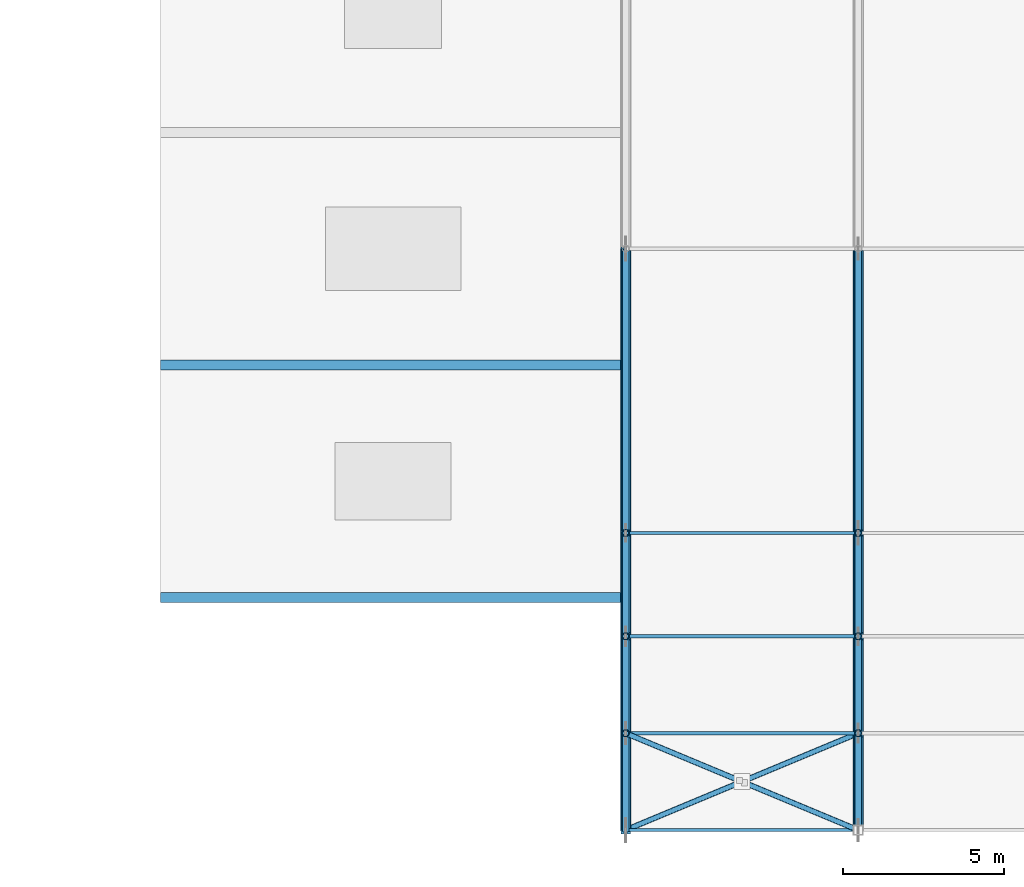
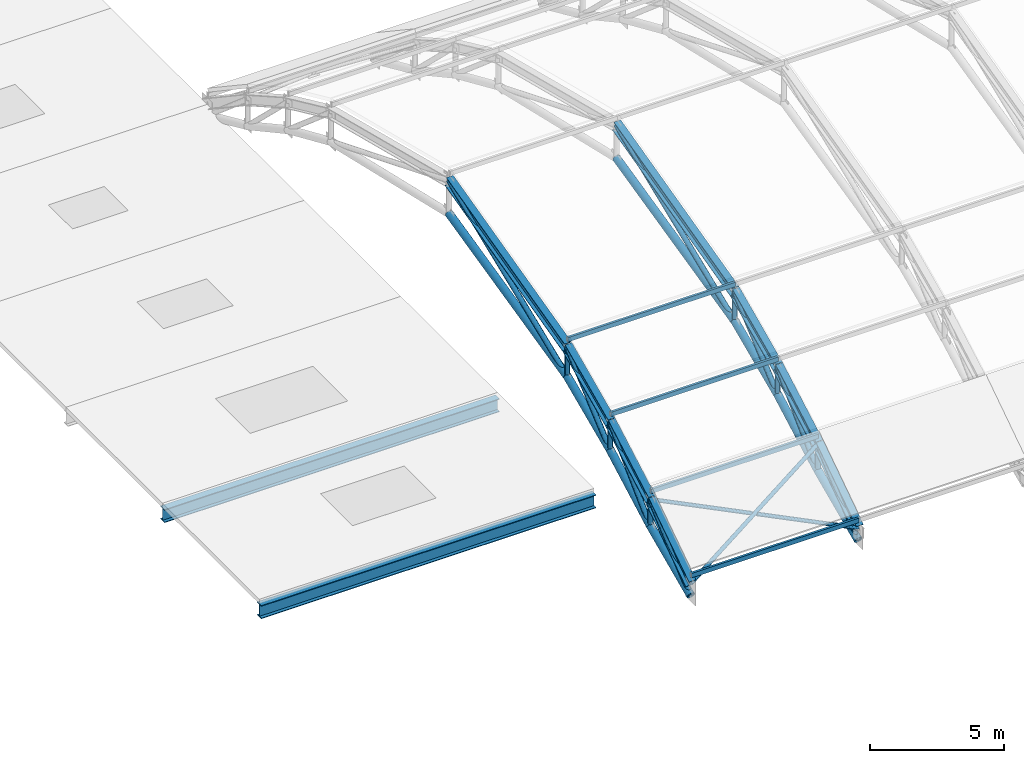
# One storey, part 14 of 63: 29 members, 10 beams.
"""IFC4 building model written with IfcOpenShell, lengths in metres."""

from ifc_helpers import new_model, si_unit, direction, frame, origin, origin_2d, place, context, subcontext, project, spatial, hollow_rectangle, hollow_circle, i_section, extrude, material, material_profile, profile_set, type_object, element, save


model = new_model("IFC4")

# Units and contexts
model_context = context("Model", 3, precision=1e-05, world=origin(), true_north=direction((0.0, 1.0)))
body_context = subcontext(model_context, "Body", "Model", "MODEL_VIEW")
ifc_project = project(units=[si_unit("LENGTHUNIT", "METRE"), si_unit("AREAUNIT", "SQUARE_METRE"), si_unit("VOLUMEUNIT", "CUBIC_METRE"), si_unit("PLANEANGLEUNIT", "RADIAN"), si_unit("MASSUNIT", "GRAM", prefix="KILO")], contexts=[model_context])

# Site, building, storey
site_placement = place(None, origin())
site = spatial("IfcSite", under=ifc_project, at=site_placement, CompositionType="ELEMENT")
building_placement = place(site_placement, origin())
building = spatial("IfcBuilding", under=site, at=building_placement, Name="Solvadek Multi-Sports Hall", CompositionType="ELEMENT")
storey_placement = place(building_placement, frame((0.0, 0.0, 19.199951171875)))
storey = spatial("IfcBuildingStorey", under=building, at=storey_placement, Name="RF", CompositionType="ELEMENT", Elevation=19.199951171875)

# Beams
ifc_material_1 = material(Name="Steel E350 (350 MPa)", Category="steel")
ifc_material_profile_1 = material_profile(ifc_material_1, i_section(OverallWidth=0.300048828125, OverallDepth=0.60009765625, WebThickness=0.015380859375, FlangeThickness=0.030029296875, at=origin_2d()), Name="WPB 600")
ifc_profile_set_1 = profile_set([ifc_material_profile_1], Name="Steel E350 (350 MPa)")
beam_type_1 = type_object("IfcBeamType", Name="STR-BM-WPB600", PredefinedType="BEAM", material=ifc_profile_set_1)
for number, where, z_axis, x_axis, name in (
    (1, (72.0, 13.199951171875, -4.099853515625), (1.0, 0.0, 0.0), (0.0, 1.0, 0.0), "V3 Passage Portal Girder #1"),
    (2, (72.0, 20.39990234375, -4.099853515625), (1.0, 0.0, 0.0), (0.0, 1.0, 0.0), "V3 Passage Portal Girder #2"),
):
    element("IfcBeam", number, at=place(storey_placement, frame(where, z_axis=z_axis, x_axis=x_axis)), inside=storey, type_object=beam_type_1, Name=name, PredefinedType="BEAM", context=body_context, shape_type="SweptSolid", body=[
        extrude(i_section(OverallWidth=0.300048828125, OverallDepth=0.60009765625, WebThickness=0.015380859375, FlangeThickness=0.030029296875, at=origin_2d()), origin(), (0.0, 0.0, 1.0), 14.39990234375),
    ])

# Members
ifc_material_profile_2 = material_profile(ifc_material_1, hollow_circle(Radius=0.084228515625, WallThickness=0.008056640625, at=origin_2d()), Name="CHS 168.3x8")
ifc_profile_set_2 = profile_set([ifc_material_profile_2], Name="Steel E350 (350 MPa)")
member_type_1 = type_object("IfcMemberType", Name="STR-BRC-CHS168", PredefinedType="BRACE", material=ifc_profile_set_2)
member_1_placement = place(storey_placement, frame((86.39990234375, 6.0, -3.550048828125), z_axis=(0.894034817783, 0.372504402581, 0.248881929133), x_axis=(-0.384606494839, 0.9230806271, 0.0)))
element("IfcMember", 3, at=member_1_placement, inside=storey, type_object=member_type_1, Name="V1 Roof Plan Brace #1", PredefinedType="BRACE", context=body_context, shape_type="SweptSolid", body=[
    extrude(hollow_circle(Radius=0.084228515625, WallThickness=0.008056640625, at=origin_2d()), origin(), (0.0, 0.0, 1.0), 8.0537109375),
])
for number, where, z_axis, x_axis, name in (
    (4, (86.39990234375, 9.0, -1.545654296875), (0.894028850757, -0.372527532788, -0.248868743173), (0.384629030944, 0.923071236988, 0.0), "V1 Roof Plan Half-Brace #2A"),
    (5, (90.082275390625, 7.4658203125, -2.57080078125), (0.894028850757, -0.372527532788, -0.248868743173), (0.384629030944, 0.923071236988, 0.0), "V1 Roof Plan Half-Brace #2B"),
):
    element("IfcMember", number, at=place(storey_placement, frame(where, z_axis=z_axis, x_axis=x_axis)), inside=storey, type_object=member_type_1, Name=name, PredefinedType="BRACE", context=body_context, shape_type="SweptSolid", body=[
        extrude(hollow_circle(Radius=0.084228515625, WallThickness=0.008056640625, at=origin_2d()), origin(), (0.0, 0.0, 1.0), 3.934814453125),
    ])
ifc_material_profile_3 = material_profile(ifc_material_1, hollow_circle(Radius=0.109619140625, WallThickness=0.010009765625, at=origin_2d()), Name="CHS 219.1x10")
ifc_profile_set_3 = profile_set([ifc_material_profile_3], Name="Steel E350 (350 MPa)")
member_type_2 = type_object("IfcMemberType", Name="STR-BRC-CHS219", PredefinedType="BRACE", material=ifc_profile_set_3)
member_2_placement = place(storey_placement, frame((86.39990234375, 6.0, -4.099853515625), z_axis=(0.0, 0.761413137307, 0.648266946818), x_axis=(-1.0, 0.0, 0.0)))
element("IfcMember", 6, at=member_2_placement, inside=storey, type_object=member_type_2, Name="v1 Truss 1 Web Diagonal 1", PredefinedType="BRACE", context=body_context, shape_type="SweptSolid", body=[
    extrude(hollow_circle(Radius=0.109619140625, WallThickness=0.010009765625, at=origin_2d()), origin(), (0.0, 0.0, 1.0), 3.93994140625),
])
member_3_placement = place(storey_placement, frame((86.39990234375, 9.0, -2.754150390625), z_axis=(0.0, 0.0, 1.0), x_axis=(1.0, 0.0, 0.0)))
element("IfcMember", 7, at=member_3_placement, inside=storey, type_object=member_type_2, Name="v1 Truss 1 Web Vertical 1", PredefinedType="BRACE", context=body_context, shape_type="SweptSolid", body=[
    extrude(hollow_circle(Radius=0.109619140625, WallThickness=0.010009765625, at=origin_2d()), origin(), (0.0, 0.0, 1.0), 1.20849609375),
])
member_4_placement = place(storey_placement, frame((86.39990234375, 9.0, -2.754150390625), z_axis=(0.0, 0.718473942669, 0.695553875487), x_axis=(-1.0, 0.0, 0.0)))
element("IfcMember", 8, at=member_4_placement, inside=storey, type_object=member_type_2, Name="v1 Truss 1 Web Diagonal 2", PredefinedType="BRACE", context=body_context, shape_type="SweptSolid", body=[
    extrude(hollow_circle(Radius=0.109619140625, WallThickness=0.010009765625, at=origin_2d()), origin(), (0.0, 0.0, 1.0), 4.175537109375),
])
member_5_placement = place(storey_placement, frame((86.39990234375, 12.0, -1.11669921875), z_axis=(0.0, 0.0, 1.0), x_axis=(1.0, 0.0, 0.0)))
element("IfcMember", 9, at=member_5_placement, inside=storey, type_object=member_type_2, Name="v1 Truss 1 Web Vertical 2", PredefinedType="BRACE", context=body_context, shape_type="SweptSolid", body=[
    extrude(hollow_circle(Radius=0.109619140625, WallThickness=0.010009765625, at=origin_2d()), origin(), (0.0, 0.0, 1.0), 1.266845703125),
])
member_6_placement = place(storey_placement, frame((86.39990234375, 12.0, -1.11669921875), z_axis=(0.0, 0.760074683686, 0.649835729411), x_axis=(-1.0, 0.0, 0.0)))
element("IfcMember", 10, at=member_6_placement, inside=storey, type_object=member_type_2, Name="v1 Truss 1 Web Diagonal 3", PredefinedType="BRACE", context=body_context, shape_type="SweptSolid", body=[
    extrude(hollow_circle(Radius=0.109619140625, WallThickness=0.010009765625, at=origin_2d()), origin(), (0.0, 0.0, 1.0), 4.2099609375),
])
member_7_placement = place(storey_placement, frame((86.39990234375, 15.199951171875, 0.2900390625), z_axis=(0.0, 0.0, 1.0), x_axis=(1.0, 0.0, 0.0)))
element("IfcMember", 11, at=member_7_placement, inside=storey, type_object=member_type_2, Name="v1 Truss 1 Web Vertical 3", PredefinedType="BRACE", context=body_context, shape_type="SweptSolid", body=[
    extrude(hollow_circle(Radius=0.109619140625, WallThickness=0.010009765625, at=origin_2d()), origin(), (0.0, 0.0, 1.0), 1.3291015625),
])
member_8_placement = place(storey_placement, frame((86.39990234375, 15.199951171875, 0.2900390625), z_axis=(0.0, 0.927015158586, 0.375023860244), x_axis=(-1.0, 0.0, 0.0)))
element("IfcMember", 12, at=member_8_placement, inside=storey, type_object=member_type_2, Name="v1 Truss 1 Web Diagonal 4", PredefinedType="BRACE", context=body_context, shape_type="SweptSolid", body=[
    extrude(hollow_circle(Radius=0.109619140625, WallThickness=0.010009765625, at=origin_2d()), origin(), (0.0, 0.0, 1.0), 9.492919921875),
])
member_9_placement = place(storey_placement, frame((93.60009765625, 6.0, -4.099853515625), z_axis=(0.0, 0.761413137307, 0.648266946818), x_axis=(-1.0, 0.0, 0.0)))
element("IfcMember", 13, at=member_9_placement, inside=storey, type_object=member_type_2, Name="v1 Truss 2 Web Diagonal 1", PredefinedType="BRACE", context=body_context, shape_type="SweptSolid", body=[
    extrude(hollow_circle(Radius=0.109619140625, WallThickness=0.010009765625, at=origin_2d()), origin(), (0.0, 0.0, 1.0), 3.93994140625),
])
member_10_placement = place(storey_placement, frame((93.60009765625, 9.0, -2.754150390625), z_axis=(0.0, 0.0, 1.0), x_axis=(1.0, 0.0, 0.0)))
element("IfcMember", 14, at=member_10_placement, inside=storey, type_object=member_type_2, Name="v1 Truss 2 Web Vertical 1", PredefinedType="BRACE", context=body_context, shape_type="SweptSolid", body=[
    extrude(hollow_circle(Radius=0.109619140625, WallThickness=0.010009765625, at=origin_2d()), origin(), (0.0, 0.0, 1.0), 1.20849609375),
])
member_11_placement = place(storey_placement, frame((93.60009765625, 9.0, -2.754150390625), z_axis=(0.0, 0.718473942669, 0.695553875487), x_axis=(-1.0, 0.0, 0.0)))
element("IfcMember", 15, at=member_11_placement, inside=storey, type_object=member_type_2, Name="v1 Truss 2 Web Diagonal 2", PredefinedType="BRACE", context=body_context, shape_type="SweptSolid", body=[
    extrude(hollow_circle(Radius=0.109619140625, WallThickness=0.010009765625, at=origin_2d()), origin(), (0.0, 0.0, 1.0), 4.175537109375),
])
member_12_placement = place(storey_placement, frame((93.60009765625, 12.0, -1.11669921875), z_axis=(0.0, 0.0, 1.0), x_axis=(1.0, 0.0, 0.0)))
element("IfcMember", 16, at=member_12_placement, inside=storey, type_object=member_type_2, Name="v1 Truss 2 Web Vertical 2", PredefinedType="BRACE", context=body_context, shape_type="SweptSolid", body=[
    extrude(hollow_circle(Radius=0.109619140625, WallThickness=0.010009765625, at=origin_2d()), origin(), (0.0, 0.0, 1.0), 1.266845703125),
])
member_13_placement = place(storey_placement, frame((93.60009765625, 12.0, -1.11669921875), z_axis=(0.0, 0.760074683686, 0.649835729411), x_axis=(-1.0, 0.0, 0.0)))
element("IfcMember", 17, at=member_13_placement, inside=storey, type_object=member_type_2, Name="v1 Truss 2 Web Diagonal 3", PredefinedType="BRACE", context=body_context, shape_type="SweptSolid", body=[
    extrude(hollow_circle(Radius=0.109619140625, WallThickness=0.010009765625, at=origin_2d()), origin(), (0.0, 0.0, 1.0), 4.2099609375),
])
member_14_placement = place(storey_placement, frame((93.60009765625, 15.199951171875, 0.2900390625), z_axis=(0.0, 0.0, 1.0), x_axis=(1.0, 0.0, 0.0)))
element("IfcMember", 18, at=member_14_placement, inside=storey, type_object=member_type_2, Name="v1 Truss 2 Web Vertical 3", PredefinedType="BRACE", context=body_context, shape_type="SweptSolid", body=[
    extrude(hollow_circle(Radius=0.109619140625, WallThickness=0.010009765625, at=origin_2d()), origin(), (0.0, 0.0, 1.0), 1.3291015625),
])
member_15_placement = place(storey_placement, frame((93.60009765625, 15.199951171875, 0.2900390625), z_axis=(0.0, 0.927015158586, 0.375023860244), x_axis=(-1.0, 0.0, 0.0)))
element("IfcMember", 19, at=member_15_placement, inside=storey, type_object=member_type_2, Name="v1 Truss 2 Web Diagonal 4", PredefinedType="BRACE", context=body_context, shape_type="SweptSolid", body=[
    extrude(hollow_circle(Radius=0.109619140625, WallThickness=0.010009765625, at=origin_2d()), origin(), (0.0, 0.0, 1.0), 9.492919921875),
])
ifc_material_profile_4 = material_profile(ifc_material_1, hollow_circle(Radius=0.161865234375, WallThickness=0.012451171875, at=origin_2d()), Name="CHS 323.9x12.5")
ifc_profile_set_4 = profile_set([ifc_material_profile_4], Name="Steel E350 (350 MPa)")
member_type_3 = type_object("IfcMemberType", Name="STR-CHD-CHS323", PredefinedType="CHORD", material=ifc_profile_set_4)
member_16_placement = place(storey_placement, frame((86.39990234375, 6.0, -4.099853515625), z_axis=(0.0, 0.912409902676, 0.409277619104), x_axis=(-1.0, 0.0, 0.0)))
element("IfcMember", 20, at=member_16_placement, inside=storey, type_object=member_type_3, Name="v1 Arched Truss 1 Bottom Chord 1", PredefinedType="CHORD", context=body_context, shape_type="SweptSolid", body=[
    extrude(hollow_circle(Radius=0.161865234375, WallThickness=0.012451171875, at=origin_2d()), origin(), (0.0, 0.0, 1.0), 3.2880859375),
])
member_17_placement = place(storey_placement, frame((86.39990234375, 9.0, -2.754150390625), z_axis=(0.0, 0.877761773463, 0.479097348195), x_axis=(-1.0, 0.0, 0.0)))
element("IfcMember", 21, at=member_17_placement, inside=storey, type_object=member_type_3, Name="v1 Arched Truss 1 Bottom Chord 2", PredefinedType="CHORD", context=body_context, shape_type="SweptSolid", body=[
    extrude(hollow_circle(Radius=0.161865234375, WallThickness=0.012451171875, at=origin_2d()), origin(), (0.0, 0.0, 1.0), 3.417724609375),
])
member_18_placement = place(storey_placement, frame((86.39990234375, 12.0, -1.11669921875), z_axis=(0.0, 0.915445777878, 0.402441334564), x_axis=(-1.0, 0.0, 0.0)))
element("IfcMember", 22, at=member_18_placement, inside=storey, type_object=member_type_3, Name="v1 Arched Truss 1 Bottom Chord 3", PredefinedType="CHORD", context=body_context, shape_type="SweptSolid", body=[
    extrude(hollow_circle(Radius=0.161865234375, WallThickness=0.012451171875, at=origin_2d()), origin(), (0.0, 0.0, 1.0), 3.49560546875),
])
member_19_placement = place(storey_placement, frame((86.39990234375, 15.199951171875, 0.2900390625), z_axis=(0.0, 0.973676572462, 0.227934052391), x_axis=(-1.0, 0.0, 0.0)))
element("IfcMember", 23, at=member_19_placement, inside=storey, type_object=member_type_3, Name="v1 Arched Truss 1 Bottom Chord 4", PredefinedType="CHORD", context=body_context, shape_type="SweptSolid", body=[
    extrude(hollow_circle(Radius=0.161865234375, WallThickness=0.012451171875, at=origin_2d()), origin(), (0.0, 0.0, 1.0), 9.037841796875),
])
member_20_placement = place(storey_placement, frame((93.60009765625, 6.0, -4.099853515625), z_axis=(0.0, 0.912409902676, 0.409277619104), x_axis=(-1.0, 0.0, 0.0)))
element("IfcMember", 24, at=member_20_placement, inside=storey, type_object=member_type_3, Name="v1 Arched Truss 2 Bottom Chord 1", PredefinedType="CHORD", context=body_context, shape_type="SweptSolid", body=[
    extrude(hollow_circle(Radius=0.161865234375, WallThickness=0.012451171875, at=origin_2d()), origin(), (0.0, 0.0, 1.0), 3.2880859375),
])
member_21_placement = place(storey_placement, frame((93.60009765625, 9.0, -2.754150390625), z_axis=(0.0, 0.877761773463, 0.479097348195), x_axis=(-1.0, 0.0, 0.0)))
element("IfcMember", 25, at=member_21_placement, inside=storey, type_object=member_type_3, Name="v1 Arched Truss 2 Bottom Chord 2", PredefinedType="CHORD", context=body_context, shape_type="SweptSolid", body=[
    extrude(hollow_circle(Radius=0.161865234375, WallThickness=0.012451171875, at=origin_2d()), origin(), (0.0, 0.0, 1.0), 3.417724609375),
])
member_22_placement = place(storey_placement, frame((93.60009765625, 12.0, -1.11669921875), z_axis=(0.0, 0.915445777878, 0.402441334564), x_axis=(-1.0, 0.0, 0.0)))
element("IfcMember", 26, at=member_22_placement, inside=storey, type_object=member_type_3, Name="v1 Arched Truss 2 Bottom Chord 3", PredefinedType="CHORD", context=body_context, shape_type="SweptSolid", body=[
    extrude(hollow_circle(Radius=0.161865234375, WallThickness=0.012451171875, at=origin_2d()), origin(), (0.0, 0.0, 1.0), 3.49560546875),
])
member_23_placement = place(storey_placement, frame((93.60009765625, 15.199951171875, 0.2900390625), z_axis=(0.0, 0.973676572462, 0.227934052391), x_axis=(-1.0, 0.0, 0.0)))
element("IfcMember", 27, at=member_23_placement, inside=storey, type_object=member_type_3, Name="v1 Arched Truss 2 Bottom Chord 4", PredefinedType="CHORD", context=body_context, shape_type="SweptSolid", body=[
    extrude(hollow_circle(Radius=0.161865234375, WallThickness=0.012451171875, at=origin_2d()), origin(), (0.0, 0.0, 1.0), 9.037841796875),
])
ifc_material_2 = material(Name="Steel E250 (250 MPa)", Category="steel")
ifc_material_profile_5 = material_profile(ifc_material_2, hollow_rectangle(XDim=0.10009765625, YDim=0.199951171875, WallThickness=0.008056640625, at=origin_2d()), Name="RHS 200x100x8")
ifc_profile_set_5 = profile_set([ifc_material_profile_5], Name="Steel E250 (250 MPa)")
member_type_4 = type_object("IfcMemberType", Name="STR-PUR-RHS200", PredefinedType="PURLIN", material=ifc_profile_set_5)
for number, where, z_axis, x_axis, name in (
    (28, (86.39990234375, 6.0, -3.17529296875), (1.0, 0.0, 0.0), (0.0, 1.0, 0.0), "V1 Roof Purlin #1"),
    (29, (86.39990234375, 9.0, -1.171142578125), (1.0, 0.0, 0.0), (0.0, 1.0, 0.0), "V1 Roof Purlin #2"),
    (30, (86.39990234375, 12.0, 0.512451171875), (1.0, 0.0, 0.0), (0.0, 1.0, 0.0), "V1 Roof Purlin #3"),
    (31, (86.39990234375, 15.199951171875, 1.970703125), (1.0, 0.0, 0.0), (0.0, 1.0, 0.0), "V1 Roof Purlin #4"),
):
    element("IfcMember", number, at=place(storey_placement, frame(where, z_axis=z_axis, x_axis=x_axis)), inside=storey, type_object=member_type_4, Name=name, PredefinedType="PURLIN", context=body_context, shape_type="SweptSolid", body=[
        extrude(hollow_rectangle(XDim=0.10009765625, YDim=0.199951171875, WallThickness=0.008056640625, at=origin_2d()), origin(), (0.0, 0.0, 1.0), 7.2001953125),
    ])

# Beams
ifc_material_profile_6 = material_profile(ifc_material_1, i_section(OverallWidth=0.300048828125, OverallDepth=0.449951171875, WebThickness=0.013916015625, FlangeThickness=0.02587890625, at=origin_2d()), Name="WPB 450")
ifc_profile_set_6 = profile_set([ifc_material_profile_6], Name="Steel E350 (350 MPa)")
beam_type_2 = type_object("IfcBeamType", Name="STR-TRS-WPB450", PredefinedType="USERDEFINED", material=ifc_profile_set_6)
beam_1_placement = place(storey_placement, frame((86.39990234375, 6.0, -3.550048828125), z_axis=(0.0, 0.831487713405, 0.55554314185), x_axis=(-1.0, 0.0, 0.0)))
element("IfcBeam", 32, at=beam_1_placement, inside=storey, type_object=beam_type_2, Name="v1 Arched Truss 1 Top Chord 1", ObjectType="ROOF TRUSS", PredefinedType="USERDEFINED", context=body_context, shape_type="SweptSolid", body=[
    extrude(i_section(OverallWidth=0.300048828125, OverallDepth=0.449951171875, WebThickness=0.013916015625, FlangeThickness=0.02587890625, at=origin_2d()), origin(), (0.0, 0.0, 1.0), 3.60791015625),
])
beam_2_placement = place(storey_placement, frame((86.39990234375, 9.0, -1.545654296875), z_axis=(0.0, 0.870544365607, 0.492089938436), x_axis=(-1.0, 0.0, 0.0)))
element("IfcBeam", 33, at=beam_2_placement, inside=storey, type_object=beam_type_2, Name="v1 Arched Truss 1 Top Chord 2", ObjectType="ROOF TRUSS", PredefinedType="USERDEFINED", context=body_context, shape_type="SweptSolid", body=[
    extrude(i_section(OverallWidth=0.300048828125, OverallDepth=0.449951171875, WebThickness=0.013916015625, FlangeThickness=0.02587890625, at=origin_2d()), origin(), (0.0, 0.0, 1.0), 3.446044921875),
])
beam_3_placement = place(storey_placement, frame((86.39990234375, 12.0, 0.150146484375), z_axis=(0.0, 0.908811875669, 0.417206153651), x_axis=(-1.0, 0.0, 0.0)))
element("IfcBeam", 34, at=beam_3_placement, inside=storey, type_object=beam_type_2, Name="v1 Arched Truss 1 Top Chord 3", ObjectType="ROOF TRUSS", PredefinedType="USERDEFINED", context=body_context, shape_type="SweptSolid", body=[
    extrude(i_section(OverallWidth=0.300048828125, OverallDepth=0.449951171875, WebThickness=0.013916015625, FlangeThickness=0.02587890625, at=origin_2d()), origin(), (0.0, 0.0, 1.0), 3.52099609375),
])
beam_4_placement = place(storey_placement, frame((86.39990234375, 15.199951171875, 1.619140625), z_axis=(0.0, 0.969335170668, 0.245742399488), x_axis=(-1.0, 0.0, 0.0)))
element("IfcBeam", 35, at=beam_4_placement, inside=storey, type_object=beam_type_2, Name="v1 Arched Truss 1 Top Chord 4", ObjectType="ROOF TRUSS", PredefinedType="USERDEFINED", context=body_context, shape_type="SweptSolid", body=[
    extrude(i_section(OverallWidth=0.300048828125, OverallDepth=0.449951171875, WebThickness=0.013916015625, FlangeThickness=0.02587890625, at=origin_2d()), origin(), (0.0, 0.0, 1.0), 9.078369140625),
])
beam_5_placement = place(storey_placement, frame((93.60009765625, 6.0, -3.550048828125), z_axis=(0.0, 0.831487713405, 0.55554314185), x_axis=(-1.0, 0.0, 0.0)))
element("IfcBeam", 36, at=beam_5_placement, inside=storey, type_object=beam_type_2, Name="v1 Arched Truss 2 Top Chord 1", ObjectType="ROOF TRUSS", PredefinedType="USERDEFINED", context=body_context, shape_type="SweptSolid", body=[
    extrude(i_section(OverallWidth=0.300048828125, OverallDepth=0.449951171875, WebThickness=0.013916015625, FlangeThickness=0.02587890625, at=origin_2d()), origin(), (0.0, 0.0, 1.0), 3.60791015625),
])
beam_6_placement = place(storey_placement, frame((93.60009765625, 9.0, -1.545654296875), z_axis=(0.0, 0.870544365607, 0.492089938436), x_axis=(-1.0, 0.0, 0.0)))
element("IfcBeam", 37, at=beam_6_placement, inside=storey, type_object=beam_type_2, Name="v1 Arched Truss 2 Top Chord 2", ObjectType="ROOF TRUSS", PredefinedType="USERDEFINED", context=body_context, shape_type="SweptSolid", body=[
    extrude(i_section(OverallWidth=0.300048828125, OverallDepth=0.449951171875, WebThickness=0.013916015625, FlangeThickness=0.02587890625, at=origin_2d()), origin(), (0.0, 0.0, 1.0), 3.446044921875),
])
beam_7_placement = place(storey_placement, frame((93.60009765625, 12.0, 0.150146484375), z_axis=(0.0, 0.908811875669, 0.417206153651), x_axis=(-1.0, 0.0, 0.0)))
element("IfcBeam", 38, at=beam_7_placement, inside=storey, type_object=beam_type_2, Name="v1 Arched Truss 2 Top Chord 3", ObjectType="ROOF TRUSS", PredefinedType="USERDEFINED", context=body_context, shape_type="SweptSolid", body=[
    extrude(i_section(OverallWidth=0.300048828125, OverallDepth=0.449951171875, WebThickness=0.013916015625, FlangeThickness=0.02587890625, at=origin_2d()), origin(), (0.0, 0.0, 1.0), 3.52099609375),
])
beam_8_placement = place(storey_placement, frame((93.60009765625, 15.199951171875, 1.619140625), z_axis=(0.0, 0.969335170668, 0.245742399488), x_axis=(-1.0, 0.0, 0.0)))
element("IfcBeam", 39, at=beam_8_placement, inside=storey, type_object=beam_type_2, Name="v1 Arched Truss 2 Top Chord 4", ObjectType="ROOF TRUSS", PredefinedType="USERDEFINED", context=body_context, shape_type="SweptSolid", body=[
    extrude(i_section(OverallWidth=0.300048828125, OverallDepth=0.449951171875, WebThickness=0.013916015625, FlangeThickness=0.02587890625, at=origin_2d()), origin(), (0.0, 0.0, 1.0), 9.078369140625),
])

save(model, "model.ifc")
